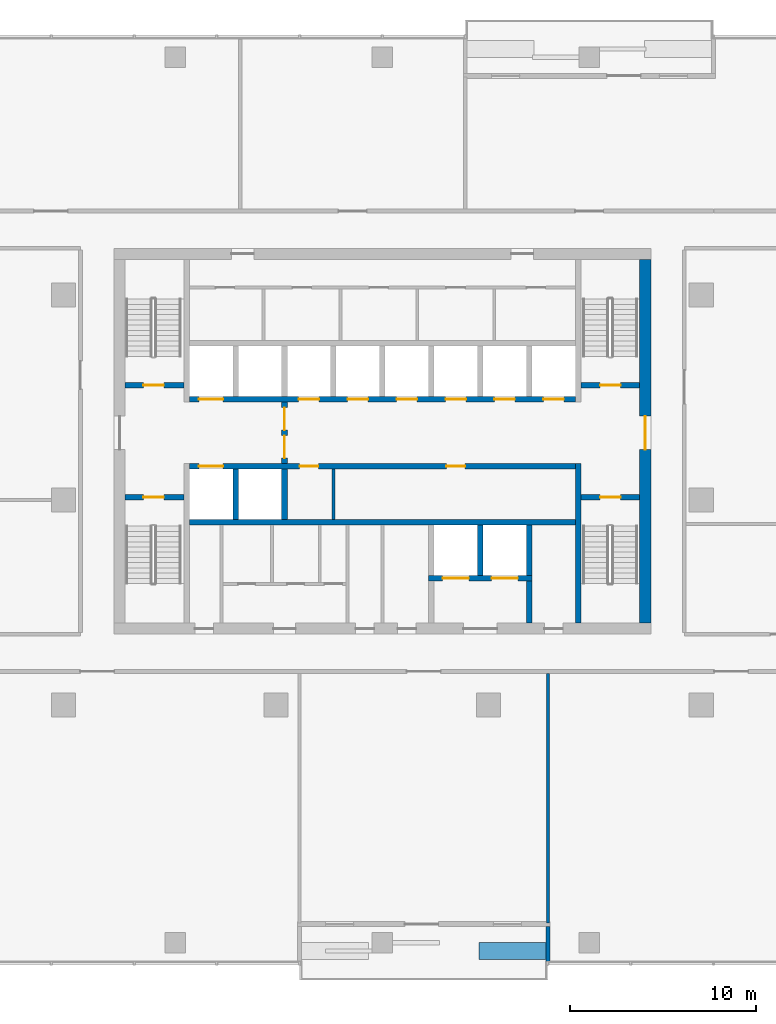
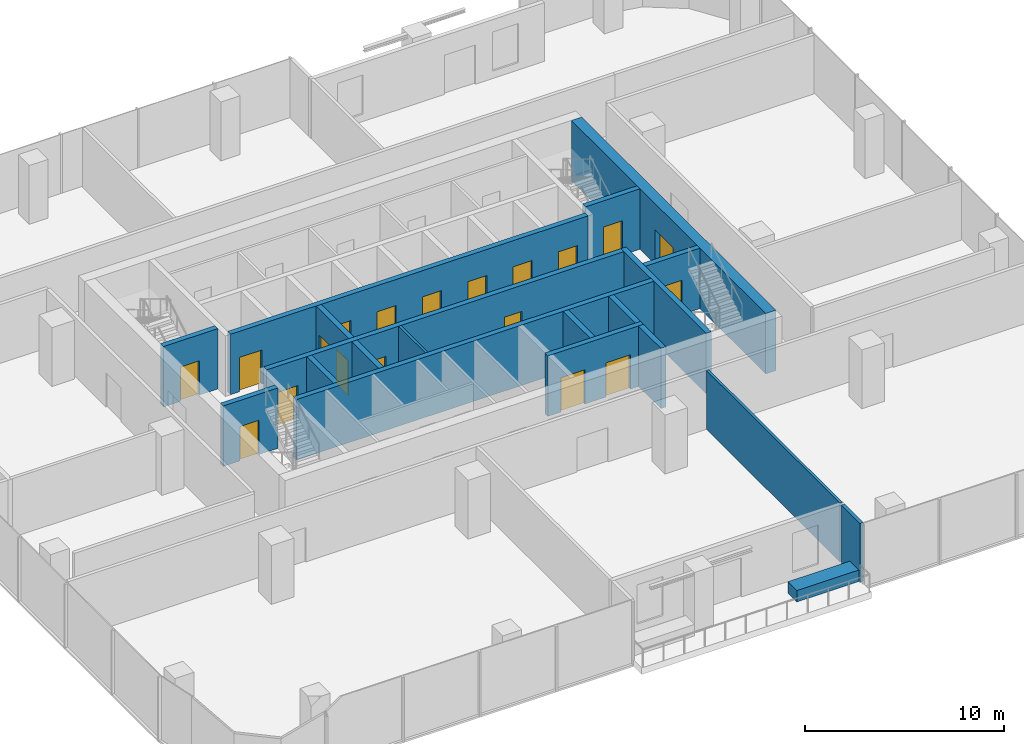
# One storey, part 8 of 14: 20 walls, 19 doors, 19 openings.
"""IFC4 building model written with IfcOpenShell, lengths in metres."""

from ifc_helpers import new_model, si_unit, direction, frame, frame_2d, origin, place, context, subcontext, project, spatial, rectangle, extrude, material, layer, layer_set, type_object, element, fill, save


model = new_model("IFC4")

# Units and contexts
model_context = context("Model", 3, precision=1e-05, world=origin(), true_north=direction((0.0, 1.0)))
body_context = subcontext(model_context, "Body", "Model", "MODEL_VIEW")
ifc_project = project(units=[si_unit("LENGTHUNIT", "METRE"), si_unit("AREAUNIT", "SQUARE_METRE"), si_unit("VOLUMEUNIT", "CUBIC_METRE"), si_unit("PLANEANGLEUNIT", "RADIAN"), si_unit("MASSUNIT", "GRAM", prefix="KILO")], contexts=[model_context])

# Site, building, storey
site_placement = place(None, origin())
site = spatial("IfcSite", under=ifc_project, at=site_placement, CompositionType="ELEMENT")
building_placement = place(site_placement, origin())
building = spatial("IfcBuilding", under=site, at=building_placement, Name="Mopane Tessera Tower", CompositionType="ELEMENT")
storey_placement = place(building_placement, frame((0.0, 0.0, 239.0)))
storey = spatial("IfcBuildingStorey", under=building, at=storey_placement, Name="L51", CompositionType="ELEMENT", Elevation=239.0)

# Wall
ifc_material_1 = material(Name="Fire-rated gypsum board partition")
ifc_layer_1 = layer(ifc_material_1, 0.14990234375)
ifc_layer_set_1 = layer_set([ifc_layer_1], Name="Fire-rated gypsum board partition")
wall_type_1 = type_object("IfcWallType", Name="Core room partition 150 mm", PredefinedType="PARTITIONING", material=ifc_layer_set_1)
wall_1_placement = place(storey_placement, frame((-2.625, -1.050048828125, 0.0), z_axis=(0.0, 0.0, 1.0), x_axis=(0.0, 1.0, 0.0)))
element("IfcWall", 1, at=wall_1_placement, inside=storey, type_object=wall_type_1, Name="L51 Room partition", PredefinedType="PARTITIONING", context=body_context, shape_type="SweptSolid", body=[
    extrude(rectangle(XDim=2.699951171875, YDim=0.14990234375, at=frame_2d((1.35009765625, 0.0))), origin(), (0.0, 0.0, 1.0), 3.699951171875),
])

# Wall, opening, door
ifc_material_2 = material(Name="Concrete C70/85", Category="concrete")
ifc_layer_2 = layer(ifc_material_2, 0.60009765625)
ifc_layer_set_2 = layer_set([ifc_layer_2], Name="Concrete C70/85")
wall_type_2 = type_object("IfcWallType", Name="Core shear wall 600 mm", PredefinedType="SHEAR", material=ifc_layer_set_2)
wall_2_placement = place(storey_placement, frame((14.10009765625, -6.60009765625, 0.0), z_axis=(0.0, 0.0, 1.0), x_axis=(0.0, 1.0, 0.0)))
wall_2 = element("IfcWall", 2, at=wall_2_placement, inside=storey, type_object=wall_type_2, Name="L51 Core wall east", PredefinedType="SHEAR", context=body_context, shape_type="SweptSolid", body=[
    extrude(rectangle(XDim=19.5, YDim=0.60009765625, at=frame_2d((9.75, 0.0))), origin(), (0.0, 0.0, 1.0), 3.699951171875),
])
opening_1_placement = place(wall_2_placement, frame((9.300048828125, 0.0, 0.0)))
opening_1 = element("IfcOpeningElement", 3, at=opening_1_placement, cuts=wall_2, Name="Opening SD2", PredefinedType="OPENING", context=body_context, shape_type="SweptSolid", body=[
    extrude(rectangle(XDim=1.800048828125, YDim=2.10009765625, at=frame_2d((0.89990234375, 1.050048828125))), frame((0.0, 0.31201171875, 0.0), z_axis=(0.0, -1.0, 0.0), x_axis=(1.0, 0.0, 0.0)), (0.0, 0.0, 1.0), 0.6240234375),
])
ifc_material_3 = material(Name="Steel fire door", Category="steel")
door_type_1 = type_object("IfcDoorType", Name="Core entrance double door 1800 x 2100", OperationType="DOUBLE_DOOR_SINGLE_SWING", PredefinedType="DOOR", material=ifc_material_3)
door_1_placement = place(opening_1_placement, origin())
door_1 = element("IfcDoor", 4, at=door_1_placement, inside=storey, type_object=door_type_1, Name="L51 Core entrance door east", OperationType="DOUBLE_DOOR_SINGLE_SWING", OverallHeight=2.10009765625, OverallWidth=1.800048828125, PredefinedType="DOOR", context=body_context, shape_type="SweptSolid", body=[
    extrude(rectangle(XDim=1.800048828125, YDim=2.10009765625, at=frame_2d((0.89990234375, 1.050048828125))), frame((0.0, 0.02490234375, 0.0), z_axis=(0.0, -1.0, 0.0), x_axis=(1.0, 0.0, 0.0)), (0.0, 0.0, 1.0), 0.050048828125),
])
fill(opening_1, door_1)

# Walls
ifc_material_4 = material(Name="Concrete C60/75", Category="concrete")
ifc_layer_3 = layer(ifc_material_4, 0.300048828125)
ifc_layer_set_3 = layer_set([ifc_layer_3], Name="Concrete C60/75")
wall_type_3 = type_object("IfcWallType", Name="Core spine wall 300 mm", PredefinedType="SHEAR", material=ifc_layer_set_3)
wall_3_placement = place(storey_placement, frame((10.5, -6.60009765625, 0.0), z_axis=(0.0, 0.0, 1.0), x_axis=(0.0, 1.0, 0.0)))
element("IfcWall", 5, at=wall_3_placement, inside=storey, type_object=wall_type_3, Name="L51 Core spine wall", PredefinedType="SHEAR", context=body_context, shape_type="SweptSolid", body=[
    extrude(rectangle(XDim=8.550048828125, YDim=0.300048828125, at=frame_2d((4.27490234375, 0.0))), origin(), (0.0, 0.0, 1.0), 3.699951171875),
])
ifc_material_5 = material(Name="Gypsum board on steel studs, mineral wool infill", Category="steel")
ifc_layer_4 = layer(ifc_material_5, 0.14990234375)
ifc_layer_set_4 = layer_set([ifc_layer_4], Name="Gypsum board on steel studs, mineral wool infill")
wall_type_4 = type_object("IfcWallType", Name="Gypsum board partition 150, rated EI 60", PredefinedType="PARTITIONING", material=ifc_layer_set_4)
wall_4_placement = place(storey_placement, frame((8.8798828125, -22.699951171875, 0.0), z_axis=(0.0, 0.0, 1.0), x_axis=(0.0, 1.0, 0.0)))
element("IfcWall", 6, at=wall_4_placement, inside=storey, type_object=wall_type_4, Name="Partition L51:013", PredefinedType="PARTITIONING", context=body_context, shape_type="SweptSolid", body=[
    extrude(rectangle(XDim=13.39990234375, YDim=0.14990234375, at=frame_2d((6.699951171875, 0.0))), origin(), (0.0, 0.0, 1.0), 3.60009765625),
])

# Wall, opening, door
ifc_material_6 = material(Name="Concrete C50/60", Category="concrete")
ifc_layer_5 = layer(ifc_material_6, 0.300048828125)
ifc_layer_set_5 = layer_set([ifc_layer_5], Name="Concrete C50/60")
wall_type_5 = type_object("IfcWallType", Name="Lift and stair shaft wall 300 mm", PredefinedType="SOLIDWALL", material=ifc_layer_set_5)
wall_5_placement = place(storey_placement, frame((-13.800048828125, 0.14990234375, 0.0), z_axis=(0.0, 0.0, 1.0), x_axis=(1.0, 0.0, 0.0)))
wall_5 = element("IfcWall", 7, at=wall_5_placement, inside=storey, type_object=wall_type_5, Name="L51 Stair enclosure wall", PredefinedType="SOLIDWALL", context=body_context, shape_type="SweptSolid", body=[
    extrude(rectangle(XDim=3.150146484375, YDim=0.300048828125, at=frame_2d((1.5751953125, 0.0))), origin(), (0.0, 0.0, 1.0), 3.699951171875),
])
opening_2_placement = place(wall_5_placement, frame((0.97509765625, 0.0, 0.0)))
opening_2 = element("IfcOpeningElement", 8, at=opening_2_placement, cuts=wall_5, Name="Opening SD1", PredefinedType="OPENING", context=body_context, shape_type="SweptSolid", body=[
    extrude(rectangle(XDim=1.10009765625, YDim=2.10009765625, at=frame_2d((0.550048828125, 1.050048828125))), frame((0.0, 0.162109375, 0.0), z_axis=(0.0, -1.0, 0.0), x_axis=(1.0, 0.0, 0.0)), (0.0, 0.0, 1.0), 0.323974609375),
])
ifc_material_7 = material(Name="Steel fire door", Category="steel")
door_type_2 = type_object("IfcDoorType", Name="Stair fire door 1100 x 2100", OperationType="SINGLE_SWING_LEFT", PredefinedType="DOOR", material=ifc_material_7)
door_2_placement = place(opening_2_placement, origin())
door_2 = element("IfcDoor", 9, at=door_2_placement, inside=storey, type_object=door_type_2, Name="L51 Stair door ST1", OperationType="SINGLE_SWING_LEFT", OverallHeight=2.10009765625, OverallWidth=1.10009765625, PredefinedType="DOOR", context=body_context, shape_type="SweptSolid", body=[
    extrude(rectangle(XDim=1.10009765625, YDim=2.10009765625, at=frame_2d((0.550048828125, 1.050048828125))), frame((0.0, 0.02490234375, 0.0), z_axis=(0.0, -1.0, 0.0), x_axis=(1.0, 0.0, 0.0)), (0.0, 0.0, 1.0), 0.050048828125),
])
fill(opening_2, door_2)

wall_6_placement = place(storey_placement, frame((-13.800048828125, 6.14990234375, 0.0), z_axis=(0.0, 0.0, 1.0), x_axis=(1.0, 0.0, 0.0)))
wall_6 = element("IfcWall", 10, at=wall_6_placement, inside=storey, type_object=wall_type_5, Name="L51 Stair enclosure wall", PredefinedType="SOLIDWALL", context=body_context, shape_type="SweptSolid", body=[
    extrude(rectangle(XDim=3.150146484375, YDim=0.300048828125, at=frame_2d((1.5751953125, 0.0))), origin(), (0.0, 0.0, 1.0), 3.699951171875),
])
opening_3_placement = place(wall_6_placement, frame((0.97509765625, 0.0, 0.0)))
opening_3 = element("IfcOpeningElement", 11, at=opening_3_placement, cuts=wall_6, Name="Opening SD1", PredefinedType="OPENING", context=body_context, shape_type="SweptSolid", body=[
    extrude(rectangle(XDim=1.10009765625, YDim=2.10009765625, at=frame_2d((0.550048828125, 1.050048828125))), frame((0.0, 0.162109375, 0.0), z_axis=(0.0, -1.0, 0.0), x_axis=(1.0, 0.0, 0.0)), (0.0, 0.0, 1.0), 0.323974609375),
])
door_3_placement = place(opening_3_placement, origin())
door_3 = element("IfcDoor", 12, at=door_3_placement, inside=storey, type_object=door_type_2, Name="L51 Stair door ST2", OperationType="SINGLE_SWING_LEFT", OverallHeight=2.10009765625, OverallWidth=1.10009765625, PredefinedType="DOOR", context=body_context, shape_type="SweptSolid", body=[
    extrude(rectangle(XDim=1.10009765625, YDim=2.10009765625, at=frame_2d((0.550048828125, 1.050048828125))), frame((0.0, 0.02490234375, 0.0), z_axis=(0.0, -1.0, 0.0), x_axis=(1.0, 0.0, 0.0)), (0.0, 0.0, 1.0), 0.050048828125),
])
fill(opening_3, door_3)

wall_7_placement = place(storey_placement, frame((10.64990234375, 0.14990234375, 0.0), z_axis=(0.0, 0.0, 1.0), x_axis=(1.0, 0.0, 0.0)))
wall_7 = element("IfcWall", 13, at=wall_7_placement, inside=storey, type_object=wall_type_5, Name="L51 Stair enclosure wall", PredefinedType="SOLIDWALL", context=body_context, shape_type="SweptSolid", body=[
    extrude(rectangle(XDim=3.150146484375, YDim=0.300048828125, at=frame_2d((1.5751953125, 0.0))), origin(), (0.0, 0.0, 1.0), 3.699951171875),
])
opening_4_placement = place(wall_7_placement, frame((1.02490234375, 0.0, 0.0)))
opening_4 = element("IfcOpeningElement", 14, at=opening_4_placement, cuts=wall_7, Name="Opening SD1", PredefinedType="OPENING", context=body_context, shape_type="SweptSolid", body=[
    extrude(rectangle(XDim=1.10009765625, YDim=2.10009765625, at=frame_2d((0.550048828125, 1.050048828125))), frame((0.0, 0.162109375, 0.0), z_axis=(0.0, -1.0, 0.0), x_axis=(1.0, 0.0, 0.0)), (0.0, 0.0, 1.0), 0.323974609375),
])
door_4_placement = place(opening_4_placement, origin())
door_4 = element("IfcDoor", 15, at=door_4_placement, inside=storey, type_object=door_type_2, Name="L51 Stair door ST3", OperationType="SINGLE_SWING_RIGHT", OverallHeight=2.10009765625, OverallWidth=1.10009765625, PredefinedType="DOOR", context=body_context, shape_type="SweptSolid", body=[
    extrude(rectangle(XDim=1.10009765625, YDim=2.10009765625, at=frame_2d((0.550048828125, 1.050048828125))), frame((0.0, 0.02490234375, 0.0), z_axis=(0.0, -1.0, 0.0), x_axis=(1.0, 0.0, 0.0)), (0.0, 0.0, 1.0), 0.050048828125),
])
fill(opening_4, door_4)

wall_8_placement = place(storey_placement, frame((10.64990234375, 6.14990234375, 0.0), z_axis=(0.0, 0.0, 1.0), x_axis=(1.0, 0.0, 0.0)))
wall_8 = element("IfcWall", 16, at=wall_8_placement, inside=storey, type_object=wall_type_5, Name="L51 Stair enclosure wall", PredefinedType="SOLIDWALL", context=body_context, shape_type="SweptSolid", body=[
    extrude(rectangle(XDim=3.150146484375, YDim=0.300048828125, at=frame_2d((1.5751953125, 0.0))), origin(), (0.0, 0.0, 1.0), 3.699951171875),
])
opening_5_placement = place(wall_8_placement, frame((1.02490234375, 0.0, 0.0)))
opening_5 = element("IfcOpeningElement", 17, at=opening_5_placement, cuts=wall_8, Name="Opening SD1", PredefinedType="OPENING", context=body_context, shape_type="SweptSolid", body=[
    extrude(rectangle(XDim=1.10009765625, YDim=2.10009765625, at=frame_2d((0.550048828125, 1.050048828125))), frame((0.0, 0.162109375, 0.0), z_axis=(0.0, -1.0, 0.0), x_axis=(1.0, 0.0, 0.0)), (0.0, 0.0, 1.0), 0.323974609375),
])
door_5_placement = place(opening_5_placement, origin())
door_5 = element("IfcDoor", 18, at=door_5_placement, inside=storey, type_object=door_type_2, Name="L51 Stair door ST4", OperationType="SINGLE_SWING_RIGHT", OverallHeight=2.10009765625, OverallWidth=1.10009765625, PredefinedType="DOOR", context=body_context, shape_type="SweptSolid", body=[
    extrude(rectangle(XDim=1.10009765625, YDim=2.10009765625, at=frame_2d((0.550048828125, 1.050048828125))), frame((0.0, 0.02490234375, 0.0), z_axis=(0.0, -1.0, 0.0), x_axis=(1.0, 0.0, 0.0)), (0.0, 0.0, 1.0), 0.050048828125),
])
fill(opening_5, door_5)

# Wall
wall_9_placement = place(storey_placement, frame((-10.35009765625, -1.199951171875, 0.0), z_axis=(0.0, 0.0, 1.0), x_axis=(1.0, 0.0, 0.0)))
element("IfcWall", 19, at=wall_9_placement, inside=storey, type_object=wall_type_5, Name="L51 Lift shaft rear wall", PredefinedType="SOLIDWALL", context=body_context, shape_type="SweptSolid", body=[
    extrude(rectangle(XDim=20.7001953125, YDim=0.300048828125, at=frame_2d((10.35009765625, 0.0))), origin(), (0.0, 0.0, 1.0), 3.699951171875),
])

# Wall, openings, doors
wall_10_placement = place(storey_placement, frame((-10.35009765625, 1.800048828125, 0.0), z_axis=(0.0, 0.0, 1.0), x_axis=(1.0, 0.0, 0.0)))
wall_10 = element("IfcWall", 20, at=wall_10_placement, inside=storey, type_object=wall_type_5, Name="L51 Lift shaft front wall", PredefinedType="SOLIDWALL", context=body_context, shape_type="SweptSolid", body=[
    extrude(rectangle(XDim=20.7001953125, YDim=0.300048828125, at=frame_2d((10.35009765625, 0.0))), origin(), (0.0, 0.0, 1.0), 3.699951171875),
])
opening_6_placement = place(wall_10_placement, frame((0.512451171875, 0.0, 0.0)))
opening_6 = element("IfcOpeningElement", 21, at=opening_6_placement, cuts=wall_10, Name="Opening LD2", PredefinedType="OPENING", context=body_context, shape_type="SweptSolid", body=[
    extrude(rectangle(XDim=1.300048828125, YDim=2.10009765625, at=frame_2d((0.64990234375, 1.050048828125))), frame((0.0, 0.162109375, 0.0), z_axis=(0.0, -1.0, 0.0), x_axis=(1.0, 0.0, 0.0)), (0.0, 0.0, 1.0), 0.323974609375),
])
opening_7_placement = place(wall_10_placement, frame((5.91259765625, 0.0, 0.0)))
opening_7 = element("IfcOpeningElement", 22, at=opening_7_placement, cuts=wall_10, Name="Opening RD1", PredefinedType="OPENING", context=body_context, shape_type="SweptSolid", body=[
    extrude(rectangle(XDim=1.0, YDim=2.10009765625, at=frame_2d((0.5, 1.050048828125))), frame((0.0, 0.162109375, 0.0), z_axis=(0.0, -1.0, 0.0), x_axis=(1.0, 0.0, 0.0)), (0.0, 0.0, 1.0), 0.323974609375),
])
opening_8_placement = place(wall_10_placement, frame((13.78759765625, 0.0, 0.0)))
opening_8 = element("IfcOpeningElement", 23, at=opening_8_placement, cuts=wall_10, Name="Opening RD1", PredefinedType="OPENING", context=body_context, shape_type="SweptSolid", body=[
    extrude(rectangle(XDim=1.0, YDim=2.10009765625, at=frame_2d((0.5, 1.050048828125))), frame((0.0, 0.162109375, 0.0), z_axis=(0.0, -1.0, 0.0), x_axis=(1.0, 0.0, 0.0)), (0.0, 0.0, 1.0), 0.323974609375),
])
ifc_material_8 = material(Name="Timber door", Category="wood")
door_type_3 = type_object("IfcDoorType", Name="Core room door 1000 x 2100", OperationType="SINGLE_SWING_LEFT", PredefinedType="DOOR", material=ifc_material_8)
door_6_placement = place(opening_7_placement, origin())
door_6 = element("IfcDoor", 24, at=door_6_placement, inside=storey, type_object=door_type_3, Name="L51 Room door", OperationType="SINGLE_SWING_LEFT", OverallHeight=2.10009765625, OverallWidth=1.0, PredefinedType="DOOR", context=body_context, shape_type="SweptSolid", body=[
    extrude(rectangle(XDim=1.0, YDim=2.10009765625, at=frame_2d((0.5, 1.050048828125))), frame((0.0, 0.02490234375, 0.0), z_axis=(0.0, -1.0, 0.0), x_axis=(1.0, 0.0, 0.0)), (0.0, 0.0, 1.0), 0.050048828125),
])
fill(opening_7, door_6)
door_7_placement = place(opening_8_placement, origin())
door_7 = element("IfcDoor", 25, at=door_7_placement, inside=storey, type_object=door_type_3, Name="L51 Room door", OperationType="SINGLE_SWING_LEFT", OverallHeight=2.10009765625, OverallWidth=1.0, PredefinedType="DOOR", context=body_context, shape_type="SweptSolid", body=[
    extrude(rectangle(XDim=1.0, YDim=2.10009765625, at=frame_2d((0.5, 1.050048828125))), frame((0.0, 0.02490234375, 0.0), z_axis=(0.0, -1.0, 0.0), x_axis=(1.0, 0.0, 0.0)), (0.0, 0.0, 1.0), 0.050048828125),
])
fill(opening_8, door_7)
ifc_material_9 = material(Name="Stainless steel sliding door", Category="steel")
door_type_4 = type_object("IfcDoorType", Name="Fire-fighting lift landing door 1300 x 2100", OperationType="DOUBLE_DOOR_SLIDING", PredefinedType="DOOR", material=ifc_material_9)
door_8_placement = place(opening_6_placement, origin())
door_8 = element("IfcDoor", 26, at=door_8_placement, inside=storey, type_object=door_type_4, Name="L51 Lift landing door FF1", OperationType="DOUBLE_DOOR_SLIDING", OverallHeight=2.10009765625, OverallWidth=1.300048828125, PredefinedType="DOOR", context=body_context, shape_type="SweptSolid", body=[
    extrude(rectangle(XDim=1.300048828125, YDim=2.10009765625, at=frame_2d((0.64990234375, 1.050048828125))), frame((0.0, 0.02490234375, 0.0), z_axis=(0.0, -1.0, 0.0), x_axis=(1.0, 0.0, 0.0)), (0.0, 0.0, 1.0), 0.050048828125),
])
fill(opening_6, door_8)

wall_11_placement = place(storey_placement, frame((-10.35009765625, 5.39990234375, 0.0), z_axis=(0.0, 0.0, 1.0), x_axis=(1.0, 0.0, 0.0)))
wall_11 = element("IfcWall", 27, at=wall_11_placement, inside=storey, type_object=wall_type_5, Name="L51 Lift shaft front wall", PredefinedType="SOLIDWALL", context=body_context, shape_type="SweptSolid", body=[
    extrude(rectangle(XDim=20.7001953125, YDim=0.300048828125, at=frame_2d((10.35009765625, 0.0))), origin(), (0.0, 0.0, 1.0), 3.699951171875),
])
opening_9_placement = place(wall_11_placement, frame((0.512451171875, 0.0, 0.0)))
opening_9 = element("IfcOpeningElement", 28, at=opening_9_placement, cuts=wall_11, Name="Opening LD2", PredefinedType="OPENING", context=body_context, shape_type="SweptSolid", body=[
    extrude(rectangle(XDim=1.300048828125, YDim=2.10009765625, at=frame_2d((0.64990234375, 1.050048828125))), frame((0.0, 0.162109375, 0.0), z_axis=(0.0, -1.0, 0.0), x_axis=(1.0, 0.0, 0.0)), (0.0, 0.0, 1.0), 0.323974609375),
])
opening_10_placement = place(wall_11_placement, frame((5.862548828125, 0.0, 0.0)))
opening_10 = element("IfcOpeningElement", 29, at=opening_10_placement, cuts=wall_11, Name="Opening LD", PredefinedType="OPENING", context=body_context, shape_type="SweptSolid", body=[
    extrude(rectangle(XDim=1.10009765625, YDim=2.10009765625, at=frame_2d((0.550048828125, 1.050048828125))), frame((0.0, 0.162109375, 0.0), z_axis=(0.0, -1.0, 0.0), x_axis=(1.0, 0.0, 0.0)), (0.0, 0.0, 1.0), 0.323974609375),
])
opening_11_placement = place(wall_11_placement, frame((8.487548828125, 0.0, 0.0)))
opening_11 = element("IfcOpeningElement", 30, at=opening_11_placement, cuts=wall_11, Name="Opening LD", PredefinedType="OPENING", context=body_context, shape_type="SweptSolid", body=[
    extrude(rectangle(XDim=1.10009765625, YDim=2.10009765625, at=frame_2d((0.550048828125, 1.050048828125))), frame((0.0, 0.162109375, 0.0), z_axis=(0.0, -1.0, 0.0), x_axis=(1.0, 0.0, 0.0)), (0.0, 0.0, 1.0), 0.323974609375),
])
opening_12_placement = place(wall_11_placement, frame((11.112548828125, 0.0, 0.0)))
opening_12 = element("IfcOpeningElement", 31, at=opening_12_placement, cuts=wall_11, Name="Opening LD", PredefinedType="OPENING", context=body_context, shape_type="SweptSolid", body=[
    extrude(rectangle(XDim=1.10009765625, YDim=2.10009765625, at=frame_2d((0.550048828125, 1.050048828125))), frame((0.0, 0.162109375, 0.0), z_axis=(0.0, -1.0, 0.0), x_axis=(1.0, 0.0, 0.0)), (0.0, 0.0, 1.0), 0.323974609375),
])
opening_13_placement = place(wall_11_placement, frame((13.737548828125, 0.0, 0.0)))
opening_13 = element("IfcOpeningElement", 32, at=opening_13_placement, cuts=wall_11, Name="Opening LD", PredefinedType="OPENING", context=body_context, shape_type="SweptSolid", body=[
    extrude(rectangle(XDim=1.10009765625, YDim=2.10009765625, at=frame_2d((0.550048828125, 1.050048828125))), frame((0.0, 0.162109375, 0.0), z_axis=(0.0, -1.0, 0.0), x_axis=(1.0, 0.0, 0.0)), (0.0, 0.0, 1.0), 0.323974609375),
])
opening_14_placement = place(wall_11_placement, frame((16.362548828125, 0.0, 0.0)))
opening_14 = element("IfcOpeningElement", 33, at=opening_14_placement, cuts=wall_11, Name="Opening LD", PredefinedType="OPENING", context=body_context, shape_type="SweptSolid", body=[
    extrude(rectangle(XDim=1.10009765625, YDim=2.10009765625, at=frame_2d((0.550048828125, 1.050048828125))), frame((0.0, 0.162109375, 0.0), z_axis=(0.0, -1.0, 0.0), x_axis=(1.0, 0.0, 0.0)), (0.0, 0.0, 1.0), 0.323974609375),
])
opening_15_placement = place(wall_11_placement, frame((18.987548828125, 0.0, 0.0)))
opening_15 = element("IfcOpeningElement", 34, at=opening_15_placement, cuts=wall_11, Name="Opening LD", PredefinedType="OPENING", context=body_context, shape_type="SweptSolid", body=[
    extrude(rectangle(XDim=1.10009765625, YDim=2.10009765625, at=frame_2d((0.550048828125, 1.050048828125))), frame((0.0, 0.162109375, 0.0), z_axis=(0.0, -1.0, 0.0), x_axis=(1.0, 0.0, 0.0)), (0.0, 0.0, 1.0), 0.323974609375),
])
door_9_placement = place(opening_9_placement, origin())
door_9 = element("IfcDoor", 35, at=door_9_placement, inside=storey, type_object=door_type_4, Name="L51 Lift landing door FF2", OperationType="DOUBLE_DOOR_SLIDING", OverallHeight=2.10009765625, OverallWidth=1.300048828125, PredefinedType="DOOR", context=body_context, shape_type="SweptSolid", body=[
    extrude(rectangle(XDim=1.300048828125, YDim=2.10009765625, at=frame_2d((0.64990234375, 1.050048828125))), frame((0.0, 0.02490234375, 0.0), z_axis=(0.0, -1.0, 0.0), x_axis=(1.0, 0.0, 0.0)), (0.0, 0.0, 1.0), 0.050048828125),
])
fill(opening_9, door_9)
ifc_material_10 = material(Name="Stainless steel sliding door", Category="steel")
door_type_5 = type_object("IfcDoorType", Name="Lift landing door 1100 x 2100", OperationType="DOUBLE_DOOR_SLIDING", PredefinedType="DOOR", material=ifc_material_10)
door_10_placement = place(opening_10_placement, origin())
door_10 = element("IfcDoor", 36, at=door_10_placement, inside=storey, type_object=door_type_5, Name="L51 Lift landing door HR1", OperationType="DOUBLE_DOOR_SLIDING", OverallHeight=2.10009765625, OverallWidth=1.10009765625, PredefinedType="DOOR", context=body_context, shape_type="SweptSolid", body=[
    extrude(rectangle(XDim=1.10009765625, YDim=2.10009765625, at=frame_2d((0.550048828125, 1.050048828125))), frame((0.0, 0.02490234375, 0.0), z_axis=(0.0, -1.0, 0.0), x_axis=(1.0, 0.0, 0.0)), (0.0, 0.0, 1.0), 0.050048828125),
])
fill(opening_10, door_10)
door_11_placement = place(opening_11_placement, origin())
door_11 = element("IfcDoor", 37, at=door_11_placement, inside=storey, type_object=door_type_5, Name="L51 Lift landing door HR2", OperationType="DOUBLE_DOOR_SLIDING", OverallHeight=2.10009765625, OverallWidth=1.10009765625, PredefinedType="DOOR", context=body_context, shape_type="SweptSolid", body=[
    extrude(rectangle(XDim=1.10009765625, YDim=2.10009765625, at=frame_2d((0.550048828125, 1.050048828125))), frame((0.0, 0.02490234375, 0.0), z_axis=(0.0, -1.0, 0.0), x_axis=(1.0, 0.0, 0.0)), (0.0, 0.0, 1.0), 0.050048828125),
])
fill(opening_11, door_11)
door_12_placement = place(opening_12_placement, origin())
door_12 = element("IfcDoor", 38, at=door_12_placement, inside=storey, type_object=door_type_5, Name="L51 Lift landing door HR3", OperationType="DOUBLE_DOOR_SLIDING", OverallHeight=2.10009765625, OverallWidth=1.10009765625, PredefinedType="DOOR", context=body_context, shape_type="SweptSolid", body=[
    extrude(rectangle(XDim=1.10009765625, YDim=2.10009765625, at=frame_2d((0.550048828125, 1.050048828125))), frame((0.0, 0.02490234375, 0.0), z_axis=(0.0, -1.0, 0.0), x_axis=(1.0, 0.0, 0.0)), (0.0, 0.0, 1.0), 0.050048828125),
])
fill(opening_12, door_12)
door_13_placement = place(opening_13_placement, origin())
door_13 = element("IfcDoor", 39, at=door_13_placement, inside=storey, type_object=door_type_5, Name="L51 Lift landing door HR4", OperationType="DOUBLE_DOOR_SLIDING", OverallHeight=2.10009765625, OverallWidth=1.10009765625, PredefinedType="DOOR", context=body_context, shape_type="SweptSolid", body=[
    extrude(rectangle(XDim=1.10009765625, YDim=2.10009765625, at=frame_2d((0.550048828125, 1.050048828125))), frame((0.0, 0.02490234375, 0.0), z_axis=(0.0, -1.0, 0.0), x_axis=(1.0, 0.0, 0.0)), (0.0, 0.0, 1.0), 0.050048828125),
])
fill(opening_13, door_13)
door_14_placement = place(opening_14_placement, origin())
door_14 = element("IfcDoor", 40, at=door_14_placement, inside=storey, type_object=door_type_5, Name="L51 Lift landing door HR5", OperationType="DOUBLE_DOOR_SLIDING", OverallHeight=2.10009765625, OverallWidth=1.10009765625, PredefinedType="DOOR", context=body_context, shape_type="SweptSolid", body=[
    extrude(rectangle(XDim=1.10009765625, YDim=2.10009765625, at=frame_2d((0.550048828125, 1.050048828125))), frame((0.0, 0.02490234375, 0.0), z_axis=(0.0, -1.0, 0.0), x_axis=(1.0, 0.0, 0.0)), (0.0, 0.0, 1.0), 0.050048828125),
])
fill(opening_14, door_14)
door_15_placement = place(opening_15_placement, origin())
door_15 = element("IfcDoor", 41, at=door_15_placement, inside=storey, type_object=door_type_5, Name="L51 Lift landing door HR6", OperationType="DOUBLE_DOOR_SLIDING", OverallHeight=2.10009765625, OverallWidth=1.10009765625, PredefinedType="DOOR", context=body_context, shape_type="SweptSolid", body=[
    extrude(rectangle(XDim=1.10009765625, YDim=2.10009765625, at=frame_2d((0.550048828125, 1.050048828125))), frame((0.0, 0.02490234375, 0.0), z_axis=(0.0, -1.0, 0.0), x_axis=(1.0, 0.0, 0.0)), (0.0, 0.0, 1.0), 0.050048828125),
])
fill(opening_15, door_15)

# Walls
for number, where, z_axis, x_axis, name in (
    (42, (-7.875, -1.050048828125, 0.0), (0.0, 0.0, 1.0), (0.0, 1.0, 0.0), "L51 Lift shaft wall"),
    (43, (-5.25, -1.050048828125, 0.0), (0.0, 0.0, 1.0), (0.0, 1.0, 0.0), "L51 Lift shaft wall"),
):
    element("IfcWall", number, at=place(storey_placement, frame(where, z_axis=z_axis, x_axis=x_axis)), inside=storey, type_object=wall_type_5, Name=name, PredefinedType="SOLIDWALL", context=body_context, shape_type="SweptSolid", body=[
        extrude(rectangle(XDim=2.699951171875, YDim=0.300048828125, at=frame_2d((1.35009765625, 0.0))), origin(), (0.0, 0.0, 1.0), 3.699951171875),
    ])

# Wall, openings, doors
wall_12_placement = place(storey_placement, frame((2.47509765625, -4.199951171875, 0.0), z_axis=(0.0, 0.0, 1.0), x_axis=(1.0, 0.0, 0.0)))
wall_12 = element("IfcWall", 44, at=wall_12_placement, inside=storey, type_object=wall_type_5, Name="L51 Lift shaft front wall", PredefinedType="SOLIDWALL", context=body_context, shape_type="SweptSolid", body=[
    extrude(rectangle(XDim=5.5498046875, YDim=0.300048828125, at=frame_2d((2.77490234375, 0.0))), origin(), (0.0, 0.0, 1.0), 3.699951171875),
])
opening_16_placement = place(wall_12_placement, frame((0.762451171875, 0.0, 0.0)))
opening_16 = element("IfcOpeningElement", 45, at=opening_16_placement, cuts=wall_12, Name="Opening LD3", PredefinedType="OPENING", context=body_context, shape_type="SweptSolid", body=[
    extrude(rectangle(XDim=1.39990234375, YDim=2.10009765625, at=frame_2d((0.699951171875, 1.050048828125))), frame((0.0, 0.162109375, 0.0), z_axis=(0.0, -1.0, 0.0), x_axis=(1.0, 0.0, 0.0)), (0.0, 0.0, 1.0), 0.323974609375),
])
opening_17_placement = place(wall_12_placement, frame((3.387451171875, 0.0, 0.0)))
opening_17 = element("IfcOpeningElement", 46, at=opening_17_placement, cuts=wall_12, Name="Opening LD3", PredefinedType="OPENING", context=body_context, shape_type="SweptSolid", body=[
    extrude(rectangle(XDim=1.39990234375, YDim=2.10009765625, at=frame_2d((0.699951171875, 1.050048828125))), frame((0.0, 0.162109375, 0.0), z_axis=(0.0, -1.0, 0.0), x_axis=(1.0, 0.0, 0.0)), (0.0, 0.0, 1.0), 0.323974609375),
])
ifc_material_11 = material(Name="Stainless steel sliding door", Category="steel")
door_type_6 = type_object("IfcDoorType", Name="Service lift landing door 1400 x 2100", OperationType="DOUBLE_DOOR_SLIDING", PredefinedType="DOOR", material=ifc_material_11)
door_16_placement = place(opening_16_placement, origin())
door_16 = element("IfcDoor", 47, at=door_16_placement, inside=storey, type_object=door_type_6, Name="L51 Lift landing door SV1", OperationType="DOUBLE_DOOR_SLIDING", OverallHeight=2.10009765625, OverallWidth=1.39990234375, PredefinedType="DOOR", context=body_context, shape_type="SweptSolid", body=[
    extrude(rectangle(XDim=1.39990234375, YDim=2.10009765625, at=frame_2d((0.699951171875, 1.050048828125))), frame((0.0, 0.02490234375, 0.0), z_axis=(0.0, -1.0, 0.0), x_axis=(1.0, 0.0, 0.0)), (0.0, 0.0, 1.0), 0.050048828125),
])
fill(opening_16, door_16)
door_17_placement = place(opening_17_placement, origin())
door_17 = element("IfcDoor", 48, at=door_17_placement, inside=storey, type_object=door_type_6, Name="L51 Lift landing door SV2", OperationType="DOUBLE_DOOR_SLIDING", OverallHeight=2.10009765625, OverallWidth=1.39990234375, PredefinedType="DOOR", context=body_context, shape_type="SweptSolid", body=[
    extrude(rectangle(XDim=1.39990234375, YDim=2.10009765625, at=frame_2d((0.699951171875, 1.050048828125))), frame((0.0, 0.02490234375, 0.0), z_axis=(0.0, -1.0, 0.0), x_axis=(1.0, 0.0, 0.0)), (0.0, 0.0, 1.0), 0.050048828125),
])
fill(opening_17, door_17)

# Walls
for number, where, z_axis, x_axis, name in (
    (49, (5.25, -4.050048828125, 0.0), (0.0, 0.0, 1.0), (0.0, 1.0, 0.0), "L51 Lift shaft wall"),
    (50, (7.875, -4.050048828125, 0.0), (0.0, 0.0, 1.0), (0.0, 1.0, 0.0), "L51 Lift shaft wall"),
):
    element("IfcWall", number, at=place(storey_placement, frame(where, z_axis=z_axis, x_axis=x_axis)), inside=storey, type_object=wall_type_5, Name=name, PredefinedType="SOLIDWALL", context=body_context, shape_type="SweptSolid", body=[
        extrude(rectangle(XDim=2.699951171875, YDim=0.300048828125, at=frame_2d((1.35009765625, 0.0))), origin(), (0.0, 0.0, 1.0), 3.699951171875),
    ])

# Wall, openings, doors
ifc_material_12 = material(Name="Concrete C50/60", Category="concrete")
ifc_layer_6 = layer(ifc_material_12, 0.300048828125)
ifc_layer_set_6 = layer_set([ifc_layer_6], Name="Concrete C50/60")
wall_type_6 = type_object("IfcWallType", Name="Lobby and refuge room wall 300 mm", PredefinedType="SOLIDWALL", material=ifc_layer_set_6)
wall_13_placement = place(storey_placement, frame((-5.25, 1.949951171875, 0.0), z_axis=(0.0, 0.0, 1.0), x_axis=(0.0, 1.0, 0.0)))
wall_13 = element("IfcWall", 51, at=wall_13_placement, inside=storey, type_object=wall_type_6, Name="L51 Fire-fighting lobby wall", PredefinedType="SOLIDWALL", context=body_context, shape_type="SweptSolid", body=[
    extrude(rectangle(XDim=3.300048828125, YDim=0.300048828125, at=frame_2d((1.64990234375, 0.0))), origin(), (0.0, 0.0, 1.0), 3.699951171875),
])
opening_18_placement = place(wall_13_placement, frame((0.300048828125, 0.0, 0.0)))
opening_18 = element("IfcOpeningElement", 52, at=opening_18_placement, cuts=wall_13, Name="Opening SD3", PredefinedType="OPENING", context=body_context, shape_type="SweptSolid", body=[
    extrude(rectangle(XDim=1.199951171875, YDim=2.10009765625, at=frame_2d((0.60009765625, 1.050048828125))), frame((0.0, 0.162109375, 0.0), z_axis=(0.0, -1.0, 0.0), x_axis=(1.0, 0.0, 0.0)), (0.0, 0.0, 1.0), 0.323974609375),
])
opening_19_placement = place(wall_13_placement, frame((1.800048828125, 0.0, 0.0)))
opening_19 = element("IfcOpeningElement", 53, at=opening_19_placement, cuts=wall_13, Name="Opening SD3", PredefinedType="OPENING", context=body_context, shape_type="SweptSolid", body=[
    extrude(rectangle(XDim=1.199951171875, YDim=2.10009765625, at=frame_2d((0.60009765625, 1.050048828125))), frame((0.0, 0.162109375, 0.0), z_axis=(0.0, -1.0, 0.0), x_axis=(1.0, 0.0, 0.0)), (0.0, 0.0, 1.0), 0.323974609375),
])
ifc_material_13 = material(Name="Steel fire door", Category="steel")
door_type_7 = type_object("IfcDoorType", Name="Lobby fire door 1200 x 2100", OperationType="SINGLE_SWING_LEFT", PredefinedType="DOOR", material=ifc_material_13)
door_18_placement = place(opening_18_placement, origin())
door_18 = element("IfcDoor", 54, at=door_18_placement, inside=storey, type_object=door_type_7, Name="L51 Fire-fighting lobby door", OperationType="SINGLE_SWING_LEFT", OverallHeight=2.10009765625, OverallWidth=1.199951171875, PredefinedType="DOOR", context=body_context, shape_type="SweptSolid", body=[
    extrude(rectangle(XDim=1.199951171875, YDim=2.10009765625, at=frame_2d((0.60009765625, 1.050048828125))), frame((0.0, 0.02490234375, 0.0), z_axis=(0.0, -1.0, 0.0), x_axis=(1.0, 0.0, 0.0)), (0.0, 0.0, 1.0), 0.050048828125),
])
fill(opening_18, door_18)
door_19_placement = place(opening_19_placement, origin())
door_19 = element("IfcDoor", 55, at=door_19_placement, inside=storey, type_object=door_type_7, Name="L51 Fire-fighting lobby door", OperationType="SINGLE_SWING_RIGHT", OverallHeight=2.10009765625, OverallWidth=1.199951171875, PredefinedType="DOOR", context=body_context, shape_type="SweptSolid", body=[
    extrude(rectangle(XDim=1.199951171875, YDim=2.10009765625, at=frame_2d((0.60009765625, 1.050048828125))), frame((0.0, 0.02490234375, 0.0), z_axis=(0.0, -1.0, 0.0), x_axis=(1.0, 0.0, 0.0)), (0.0, 0.0, 1.0), 0.050048828125),
])
fill(opening_19, door_19)

# Walls
wall_14_placement = place(storey_placement, frame((7.875, -6.60009765625, 0.0), z_axis=(0.0, 0.0, 1.0), x_axis=(0.0, 1.0, 0.0)))
element("IfcWall", 56, at=wall_14_placement, inside=storey, type_object=wall_type_6, Name="L51 Service lobby wall", PredefinedType="SOLIDWALL", context=body_context, shape_type="SweptSolid", body=[
    extrude(rectangle(XDim=2.25, YDim=0.300048828125, at=frame_2d((1.125, 0.0))), origin(), (0.0, 0.0, 1.0), 3.699951171875),
])
ifc_material_14 = material(Name="Reinforced concrete C32/40 with waterproofing", Category="concrete")
ifc_layer_7 = layer(ifc_material_14, 0.89990234375)
ifc_layer_set_7 = layer_set([ifc_layer_7], Name="Reinforced concrete C32/40 with waterproofing")
wall_type_7 = type_object("IfcWallType", Name="Planter trough 3600 x 900", PredefinedType="STANDARD", material=ifc_layer_set_7)
wall_15_placement = place(storey_placement, frame((5.179931640625, -24.199951171875, 0.0), z_axis=(0.0, 0.0, 1.0), x_axis=(1.0, 0.0, 0.0)))
element("IfcWall", 57, at=wall_15_placement, inside=storey, type_object=wall_type_7, Name="e:nw:L51:N1:pl1", PredefinedType="STANDARD", context=body_context, shape_type="SweptSolid", body=[
    extrude(rectangle(XDim=3.60009765625, YDim=0.89990234375, at=frame_2d((1.800048828125, 0.0))), origin(), (0.0, 0.0, 1.0), 0.699951171875),
])
ifc_material_15 = material(Name="Blockwork with glazed tile facing", Category="masonry")
ifc_layer_8 = layer(ifc_material_15, 0.199951171875)
ifc_layer_set_8 = layer_set([ifc_layer_8], Name="Blockwork with glazed tile facing")
wall_type_8 = type_object("IfcWallType", Name="Terrace cheek wall 200", PredefinedType="STANDARD", material=ifc_layer_set_8)
wall_16_placement = place(storey_placement, frame((8.8798828125, -24.75, 0.0), z_axis=(0.0, 0.0, 1.0), x_axis=(0.0, 1.0, 0.0)))
element("IfcWall", 58, at=wall_16_placement, inside=storey, type_object=wall_type_8, Name="e:nw:L51:N1:cheekb", PredefinedType="STANDARD", context=body_context, shape_type="SweptSolid", body=[
    extrude(rectangle(XDim=1.875, YDim=0.199951171875, at=frame_2d((0.9375, 0.0))), origin(), (0.0, 0.0, 1.0), 3.60009765625),
])

save(model, "model.ifc")
